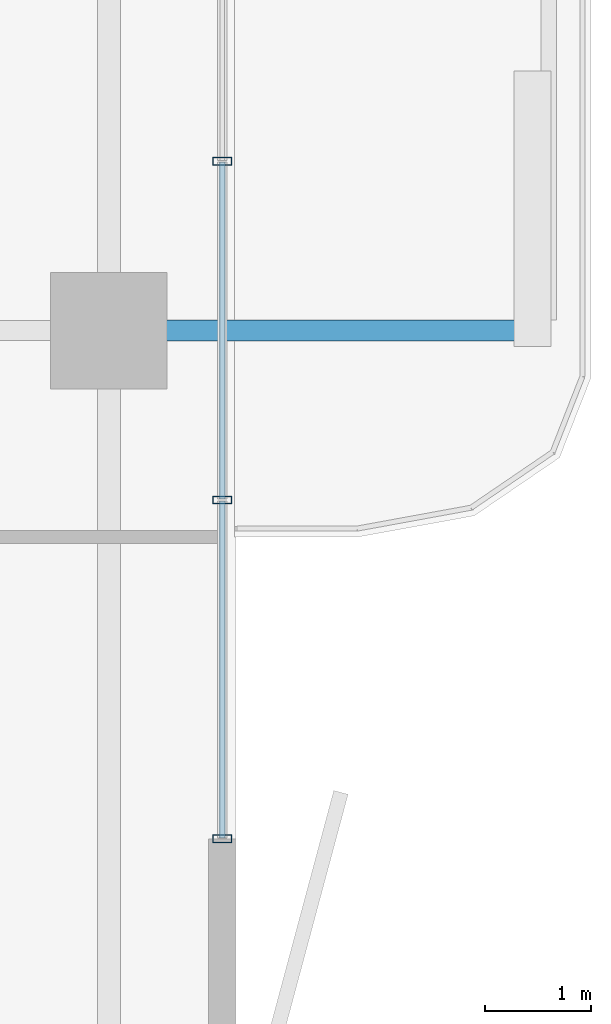
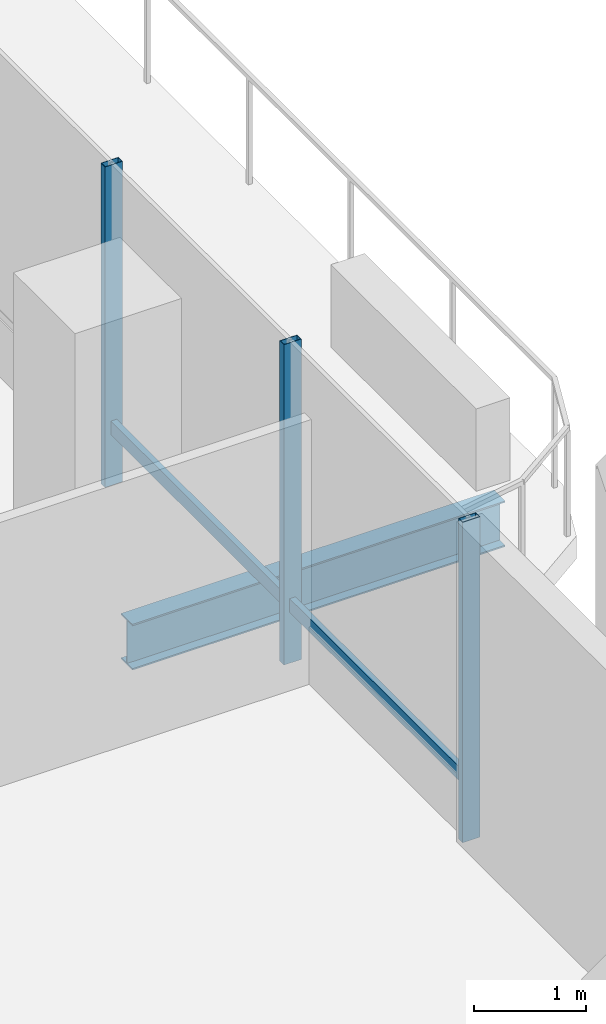
# One storey, part 8 of 24: 5 members, 1 beam, 1 element without a shape of its own.
"""IFC4 building model written with IfcOpenShell, lengths in metres."""

from ifc_helpers import new_model, si_unit, direction, frame, origin, origin_2d, place, context, subcontext, project, spatial, hollow_rectangle, i_section, extrude, material, layer, layer_set, material_profile, profile_set, type_object, element, aggregate, save


model = new_model("IFC4")

# Units and contexts
model_context = context("Model", 3, precision=1e-05, world=origin(), true_north=direction((0.0, 1.0)))
body_context = subcontext(model_context, "Body", "Model", "MODEL_VIEW")
ifc_project = project(units=[si_unit("LENGTHUNIT", "METRE"), si_unit("AREAUNIT", "SQUARE_METRE"), si_unit("VOLUMEUNIT", "CUBIC_METRE"), si_unit("PLANEANGLEUNIT", "RADIAN"), si_unit("MASSUNIT", "GRAM", prefix="KILO")], contexts=[model_context])

# Site, building, storey
site_placement = place(None, origin())
site = spatial("IfcSite", under=ifc_project, at=site_placement, CompositionType="ELEMENT")
building_placement = place(site_placement, origin())
building = spatial("IfcBuilding", under=site, at=building_placement, Name="Belovzor Exchange Tower", CompositionType="ELEMENT")
storey_placement = place(building_placement, frame((0.0, 0.0, 226.199951171875)))
storey = spatial("IfcBuildingStorey", under=building, at=storey_placement, Name="L56", CompositionType="ELEMENT", Elevation=226.199951171875)

# Beam
ifc_material_1 = material(Name="Steel S355", Category="steel")
ifc_material_profile_1 = material_profile(ifc_material_1, i_section(OverallWidth=0.199951171875, OverallDepth=0.5, WebThickness=0.01025390625, FlangeThickness=0.01611328125, at=origin_2d()))
ifc_profile_set_1 = profile_set([ifc_material_profile_1], Name="Steel S355")
beam_type = type_object("IfcBeamType", Name="Planted Balcony Cantilever Beam IPE 500", PredefinedType="BEAM", material=ifc_profile_set_1)
beam_placement = place(storey_placement, frame((54.903076171875, 28.800048828125, -0.5), z_axis=(1.0, 0.0, 0.0), x_axis=(0.0, 1.0, 0.0)))
element("IfcBeam", 1, at=beam_placement, inside=storey, type_object=beam_type, Name="BC-500 Planted Balcony Cantilever Beam IPE 500", PredefinedType="BEAM", context=body_context, shape_type="SweptSolid", body=[
    extrude(i_section(OverallWidth=0.199951171875, OverallDepth=0.5, WebThickness=0.01025390625, FlangeThickness=0.01611328125, at=origin_2d()), origin(), (0.0, 0.0, 1.0), 3.849853515625),
])

# Curtain wall, members
ifc_material_2 = material(Name="Anodised Aluminium Framing", Category="aluminium")
ifc_layer = layer(ifc_material_2, 0.179931640625)
ifc_layer_set = layer_set([ifc_layer], Name="Anodised Aluminium Framing")
curtain_wall_type = type_object("IfcCurtainWallType", Name="Recessed Loggia Low-Iron Triple-Glazed Curtain Wall", PredefinedType="NOTDEFINED", material=ifc_layer_set)
curtain_wall_placement = place(storey_placement, origin())
curtain_wall = element("IfcCurtainWall", 2, at=curtain_wall_placement, inside=storey, type_object=curtain_wall_type, Name="CW3 Recessed Loggia Low-Iron Triple-Glazed Curtain Wall L56", PredefinedType="NOTDEFINED")
ifc_material_3 = material(Name="Steel S355", Category="steel")
ifc_material_profile_2 = material_profile(ifc_material_3, hollow_rectangle(XDim=0.074951171875, YDim=0.179931640625, WallThickness=0.0048828125, at=origin_2d()))
ifc_profile_set_2 = profile_set([ifc_material_profile_2], Name="Steel S355")
member_type_1 = type_object("IfcMemberType", Name="Thermally Broken Curtain Wall Mullion 180x75", PredefinedType="MULLION", material=ifc_profile_set_2)
member_1_placement = place(storey_placement, frame((55.669921875, 30.39990234375, 0.0), z_axis=(0.0, 0.0, 1.0), x_axis=(0.0, -1.0, 0.0)))
member_1 = element("IfcMember", 3, at=member_1_placement, type_object=member_type_1, Name="CW-M180 Curtain Wall Mullion 2", PredefinedType="MULLION", context=body_context, shape_type="SweptSolid", body=[
    extrude(hollow_rectangle(XDim=0.074951171875, YDim=0.179931640625, WallThickness=0.0048828125, at=origin_2d()), origin(), (0.0, 0.0, 1.0), 3.5),
])
member_2_placement = place(storey_placement, frame((55.669921875, 27.199951171875, 0.0), z_axis=(0.0, 0.0, 1.0), x_axis=(0.0, -1.0, 0.0)))
member_2 = element("IfcMember", 4, at=member_2_placement, type_object=member_type_1, Name="CW-M180 Curtain Wall Mullion 3", PredefinedType="MULLION", context=body_context, shape_type="SweptSolid", body=[
    extrude(hollow_rectangle(XDim=0.074951171875, YDim=0.179931640625, WallThickness=0.0048828125, at=origin_2d()), origin(), (0.0, 0.0, 1.0), 3.5),
])
member_3_placement = place(storey_placement, frame((55.669921875, 24.0, 0.0), z_axis=(0.0, 0.0, 1.0), x_axis=(0.0, -1.0, 0.0)))
member_3 = element("IfcMember", 5, at=member_3_placement, type_object=member_type_1, Name="CW-M180 Curtain Wall Mullion 4", PredefinedType="MULLION", context=body_context, shape_type="SweptSolid", body=[
    extrude(hollow_rectangle(XDim=0.074951171875, YDim=0.179931640625, WallThickness=0.0048828125, at=origin_2d()), origin(), (0.0, 0.0, 1.0), 3.5),
])
ifc_material_4 = material(Name="Steel S355", Category="steel")
ifc_material_profile_3 = material_profile(ifc_material_4, hollow_rectangle(XDim=0.06005859375, YDim=0.14990234375, WallThickness=0.00390625, at=origin_2d()))
ifc_profile_set_3 = profile_set([ifc_material_profile_3], Name="Steel S355")
member_type_2 = type_object("IfcMemberType", Name="Thermally Broken Curtain Wall Transom 150x60", PredefinedType="USERDEFINED", material=ifc_profile_set_3)
member_4_placement = place(storey_placement, frame((55.669921875, 30.39208984375, 0.630126953125), z_axis=(0.0, -1.0, 0.0), x_axis=(1.0, 0.0, 0.0)))
member_4 = element("IfcMember", 6, at=member_4_placement, type_object=member_type_2, Name="CW-T150 Curtain Wall Transom 2", ObjectType="TRANSOM", PredefinedType="USERDEFINED", context=body_context, shape_type="SweptSolid", body=[
    extrude(hollow_rectangle(XDim=0.06005859375, YDim=0.14990234375, WallThickness=0.00390625, at=origin_2d()), origin(), (0.0, 0.0, 1.0), 3.18408203125),
])
member_5_placement = place(storey_placement, frame((55.669921875, 27.19189453125, 0.630126953125), z_axis=(0.0, -1.0, 0.0), x_axis=(1.0, 0.0, 0.0)))
member_5 = element("IfcMember", 7, at=member_5_placement, type_object=member_type_2, Name="CW-T150 Curtain Wall Transom 3", ObjectType="TRANSOM", PredefinedType="USERDEFINED", context=body_context, shape_type="SweptSolid", body=[
    extrude(hollow_rectangle(XDim=0.06005859375, YDim=0.14990234375, WallThickness=0.00390625, at=origin_2d()), origin(), (0.0, 0.0, 1.0), 3.183837890625),
])
aggregate(curtain_wall, [member_1, member_2, member_3, member_4, member_5])

save(model, "model.ifc")
